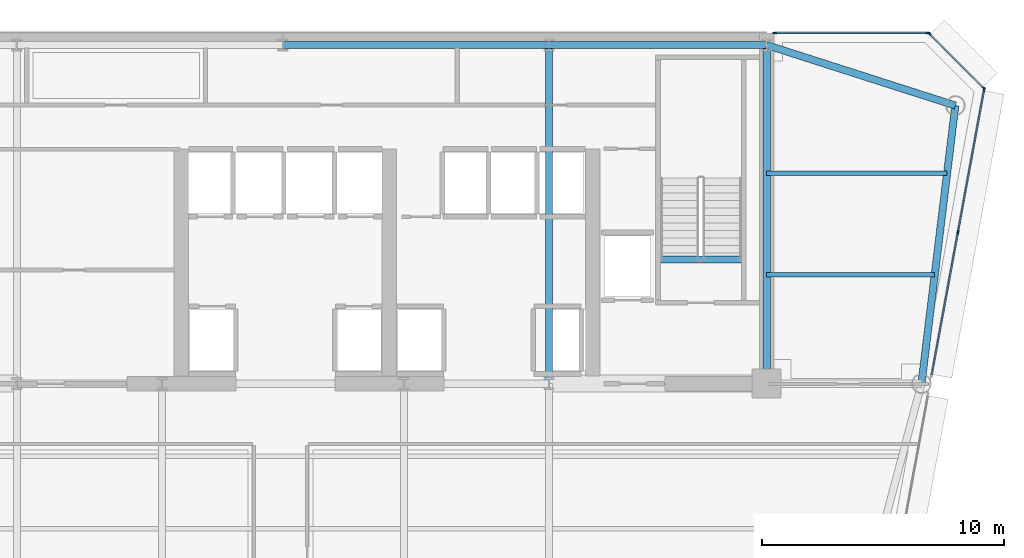
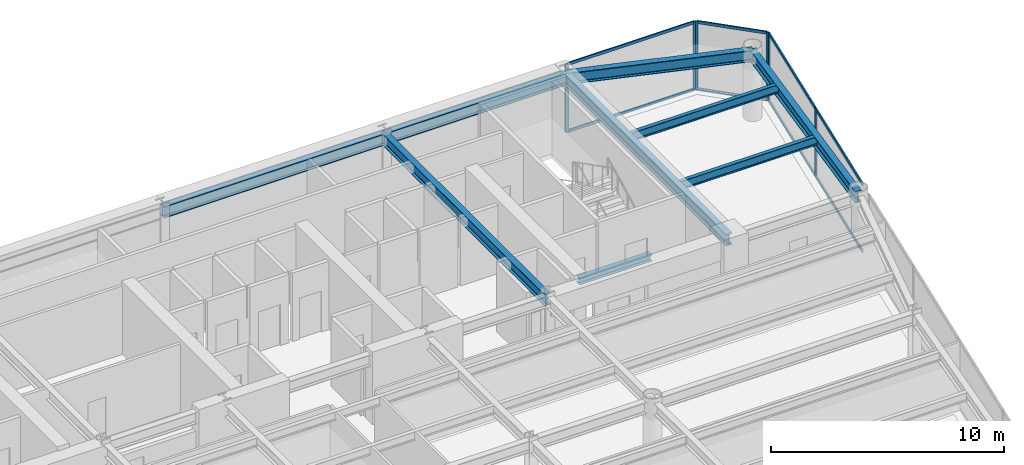
# One storey, part 8 of 16: 14 members, 9 beams, 3 elements without a shape of their own.
"""IFC4 building model written with IfcOpenShell, lengths in metres."""

from ifc_helpers import new_model, si_unit, direction, frame, origin, origin_2d, place, context, subcontext, project, spatial, rectangle, i_section, extrude, source, transform, mapped, material, layer, layer_set, material_profile, profile_set, type_object, element, aggregate, save


model = new_model("IFC4")

# Units and contexts
model_context = context("Model", 3, precision=1e-05, world=origin(), true_north=direction((0.0, 1.0)))
body_context = subcontext(model_context, "Body", "Model", "MODEL_VIEW")
ifc_project = project(units=[si_unit("LENGTHUNIT", "METRE"), si_unit("AREAUNIT", "SQUARE_METRE"), si_unit("VOLUMEUNIT", "CUBIC_METRE"), si_unit("PLANEANGLEUNIT", "RADIAN"), si_unit("MASSUNIT", "GRAM", prefix="KILO")], contexts=[model_context])

# Site, building, storey
site_placement = place(None, origin())
site = spatial("IfcSite", under=ifc_project, at=site_placement, CompositionType="ELEMENT")
building_placement = place(site_placement, origin())
building = spatial("IfcBuilding", under=site, at=building_placement, Name="Vaeldorn Concourse Tower", CompositionType="ELEMENT")
storey_placement = place(building_placement, frame((0.0, 0.0, 191.800048828125)))
storey = spatial("IfcBuildingStorey", under=building, at=storey_placement, Name="L49", CompositionType="ELEMENT", Elevation=191.800048828125)

# Beams
ifc_material_1 = material(Name="Steel S355", Category="steel")
ifc_material_profile_1 = material_profile(ifc_material_1, i_section(OverallWidth=0.300048828125, OverallDepth=0.340087890625, WebThickness=0.011962890625, FlangeThickness=0.021484375, FilletRadius=0.027099609375, at=origin_2d()), Name="HEB 340")
ifc_profile_set_1 = profile_set([ifc_material_profile_1], Name="Steel S355")
beam_type_1 = type_object("IfcBeamType", Name="BM-ST-TRIM", PredefinedType="BEAM", material=ifc_profile_set_1)
shared_shape_1 = source(origin(), body_context, "Body", "SweptSolid", [
    extrude(i_section(OverallWidth=0.300048828125, OverallDepth=0.340087890625, WebThickness=0.011962890625, FlangeThickness=0.021484375, FilletRadius=0.027099609375, at=origin_2d()), origin(), (0.0, 0.0, 1.0), 3.590087890625),
])
beam_1_placement = place(storey_placement, frame((49.47998046875, 41.639892578125, -0.39013671875), z_axis=(1.0, 0.0, 0.0), x_axis=(0.0, 1.0, 0.0)))
element("IfcBeam", 1, at=beam_1_placement, inside=storey, type_object=beam_type_1, Name="Stair Landing Trimmer Beam ST-2 L49", PredefinedType="BEAM", context=body_context, shape_type="MappedRepresentation", body=[
    mapped(shared_shape_1, transform((0.0, 0.0, 0.0), scale=1.0)),
])
ifc_material_profile_2 = material_profile(ifc_material_1, i_section(OverallWidth=0.18994140625, OverallDepth=0.449951171875, WebThickness=0.009521484375, FlangeThickness=0.0146484375, FilletRadius=0.02099609375, at=origin_2d()), Name="IPE 450")
ifc_profile_set_2 = profile_set([ifc_material_profile_2], Name="Steel S355")
beam_type_2 = type_object("IfcBeamType", Name="BM-JS-IPE450", PredefinedType="JOIST", material=ifc_profile_set_2)
shared_shape_2 = source(origin(), body_context, "Body", "SweptSolid", [
    extrude(i_section(OverallWidth=0.18994140625, OverallDepth=0.449951171875, WebThickness=0.009521484375, FlangeThickness=0.0146484375, FilletRadius=0.02099609375, at=origin_2d()), origin(), (0.0, 0.0, 1.0), 6.94775390625),
])
beam_2_placement = place(storey_placement, frame((54.0, 41.0, 3.35498046875), z_axis=(1.0, 0.0, 0.0), x_axis=(0.0, 1.0, 0.0)))
element("IfcBeam", 2, at=beam_2_placement, inside=storey, type_object=beam_type_2, Name="Beam JS-L49-NE-410", PredefinedType="JOIST", context=body_context, shape_type="MappedRepresentation", body=[
    mapped(shared_shape_2, transform((0.0, 0.0, 0.0), scale=1.0)),
])
shared_shape_3 = source(origin(), body_context, "Body", "SweptSolid", [
    extrude(i_section(OverallWidth=0.18994140625, OverallDepth=0.449951171875, WebThickness=0.009521484375, FlangeThickness=0.0146484375, FilletRadius=0.02099609375, at=origin_2d()), origin(), (0.0, 0.0, 1.0), 7.458984375),
])
beam_3_placement = place(storey_placement, frame((54.0, 45.199951171875, 3.35498046875), z_axis=(1.0, 0.0, 0.0), x_axis=(0.0, 1.0, 0.0)))
element("IfcBeam", 3, at=beam_3_placement, inside=storey, type_object=beam_type_2, Name="Beam JS-L49-NE-452", PredefinedType="JOIST", context=body_context, shape_type="MappedRepresentation", body=[
    mapped(shared_shape_3, transform((0.0, 0.0, 0.0), scale=1.0)),
])
ifc_material_profile_3 = material_profile(ifc_material_1, i_section(OverallWidth=0.300048828125, OverallDepth=0.60009765625, WebThickness=0.015380859375, FlangeThickness=0.030029296875, FilletRadius=0.027099609375, at=origin_2d()), Name="HEB 600")
ifc_profile_set_3 = profile_set([ifc_material_profile_3], Name="Steel S355")
beam_type_3 = type_object("IfcBeamType", Name="BM-PG-HEB600", PredefinedType="BEAM", material=ifc_profile_set_3)
shared_shape_4 = source(origin(), body_context, "Body", "SweptSolid", [
    extrude(i_section(OverallWidth=0.300048828125, OverallDepth=0.60009765625, WebThickness=0.015380859375, FlangeThickness=0.030029296875, FilletRadius=0.027099609375, at=origin_2d()), origin(), (0.0, 0.0, 1.0), 9.0),
])
beam_4_placement = place(storey_placement, frame((45.0, 50.5, 3.280029296875), z_axis=(1.0, 0.0, 0.0), x_axis=(0.0, 1.0, 0.0)))
element("IfcBeam", 4, at=beam_4_placement, inside=storey, type_object=beam_type_3, Name="Beam BM-L49-C-HC4-C-HC5", PredefinedType="BEAM", context=body_context, shape_type="MappedRepresentation", body=[
    mapped(shared_shape_4, transform((0.0, 0.0, 0.0), scale=1.0)),
])
shared_shape_5 = source(origin(), body_context, "Body", "SweptSolid", [
    extrude(i_section(OverallWidth=0.300048828125, OverallDepth=0.60009765625, WebThickness=0.015380859375, FlangeThickness=0.030029296875, FilletRadius=0.027099609375, at=origin_2d()), origin(), (0.0, 0.0, 1.0), 11.0),
])
beam_5_placement = place(storey_placement, frame((34.0, 50.5, 3.280029296875), z_axis=(1.0, 0.0, 0.0), x_axis=(0.0, 1.0, 0.0)))
element("IfcBeam", 5, at=beam_5_placement, inside=storey, type_object=beam_type_3, Name="Beam BM-L49-C-HC3-C-HC4", PredefinedType="BEAM", context=body_context, shape_type="MappedRepresentation", body=[
    mapped(shared_shape_5, transform((0.0, 0.0, 0.0), scale=1.0)),
])
shared_shape_6 = source(origin(), body_context, "Body", "SweptSolid", [
    extrude(i_section(OverallWidth=0.300048828125, OverallDepth=0.60009765625, WebThickness=0.015380859375, FlangeThickness=0.030029296875, FilletRadius=0.027099609375, at=origin_2d()), origin(), (0.0, 0.0, 1.0), 14.0),
])
for number, where, z_axis, x_axis, name in (
    (6, (45.0, 36.5, 3.280029296875), (0.0, 1.0, 0.0), (-1.0, 0.0, 0.0), "Beam BM-L49-C-FC5-C-HC4"),
    (7, (54.0, 36.5, 3.280029296875), (0.0, 1.0, 0.0), (-1.0, 0.0, 0.0), "Beam BM-L49-C-FC6-C-HC5"),
):
    element("IfcBeam", number, at=place(storey_placement, frame(where, z_axis=z_axis, x_axis=x_axis)), inside=storey, type_object=beam_type_3, Name=name, PredefinedType="BEAM", context=body_context, shape_type="MappedRepresentation", body=[
        mapped(shared_shape_6, transform((0.0, 0.0, 0.0), scale=1.0)),
    ])
shared_shape_7 = source(origin(), body_context, "Body", "SweptSolid", [
    extrude(i_section(OverallWidth=0.300048828125, OverallDepth=0.60009765625, WebThickness=0.015380859375, FlangeThickness=0.030029296875, FilletRadius=0.027099609375, at=origin_2d()), origin(), (0.0, 0.0, 1.0), 8.19091796875),
])
beam_6_placement = place(storey_placement, frame((54.0, 50.5, 3.280029296875), z_axis=(0.952282843383, -0.305216949396, 0.0), x_axis=(0.305216949396, 0.952282843383, 0.0)))
element("IfcBeam", 8, at=beam_6_placement, inside=storey, type_object=beam_type_3, Name="Beam BM-L49-C-HC5-C-NE1", PredefinedType="BEAM", context=body_context, shape_type="MappedRepresentation", body=[
    mapped(shared_shape_7, transform((0.0, 0.0, 0.0), scale=1.0)),
])
shared_shape_8 = source(origin(), body_context, "Body", "SweptSolid", [
    extrude(i_section(OverallWidth=0.300048828125, OverallDepth=0.60009765625, WebThickness=0.015380859375, FlangeThickness=0.030029296875, FilletRadius=0.027099609375, at=origin_2d()), origin(), (0.0, 0.0, 1.0), 11.5849609375),
])
beam_7_placement = place(storey_placement, frame((61.800048828125, 48.0, 3.280029296875), z_axis=(-0.120859382899, -0.992669637677, 0.0), x_axis=(0.992669637677, -0.120859382899, 0.0)))
element("IfcBeam", 9, at=beam_7_placement, inside=storey, type_object=beam_type_3, Name="Beam BM-L49-C-NE1-C-NE2", PredefinedType="BEAM", context=body_context, shape_type="MappedRepresentation", body=[
    mapped(shared_shape_8, transform((0.0, 0.0, 0.0), scale=1.0)),
])

# Curtain wall, members
ifc_material_2 = material(Name="Anodised Bronze Aluminium", Category="aluminium")
ifc_layer = layer(ifc_material_2, 0.18994140625)
ifc_layer_set = layer_set([ifc_layer], Name="Anodised Bronze Aluminium")
curtain_wall_type = type_object("IfcCurtainWallType", Name="CW-SYS-03", PredefinedType="NOTDEFINED", material=ifc_layer_set)
curtain_wall_1_placement = place(storey_placement, origin())
curtain_wall_1 = element("IfcCurtainWall", 10, at=curtain_wall_1_placement, inside=storey, type_object=curtain_wall_type, Name="Unitised Curtain Wall CW-L49-E07-2", PredefinedType="NOTDEFINED")
ifc_material_profile_4 = material_profile(ifc_material_2, rectangle(XDim=0.06494140625, YDim=0.169921875, at=origin_2d()), Name="CWM 65x170")
ifc_profile_set_4 = profile_set([ifc_material_profile_4], Name="Anodised Bronze Aluminium")
member_type_1 = type_object("IfcMemberType", Name="CWM-BRONZE-170", PredefinedType="MULLION", material=ifc_profile_set_4)
shared_shape_9 = source(origin(), body_context, "Body", "SweptSolid", [
    extrude(rectangle(XDim=0.06494140625, YDim=0.169921875, at=origin_2d()), origin(), (0.0, 0.0, 1.0), 3.579833984375),
])
member_1_placement = place(storey_placement, frame((61.908203125, 42.753662109375, 0.0), z_axis=(0.0, 0.0, 1.0), x_axis=(-0.983559459619, 0.180584576845, 0.0)))
member_1 = element("IfcMember", 11, at=member_1_placement, type_object=member_type_1, Name="CW-03 mullion 2", PredefinedType="MULLION", context=body_context, shape_type="MappedRepresentation", body=[
    mapped(shared_shape_9, transform((0.0, 0.0, 0.0), scale=1.0)),
])
member_2_placement = place(storey_placement, frame((62.994140625, 48.66796875, 0.0), z_axis=(0.0, 0.0, 1.0), x_axis=(-0.983559459619, 0.180584576845, 0.0)))
member_2 = element("IfcMember", 12, at=member_2_placement, type_object=member_type_1, Name="CW-03 mullion 3", PredefinedType="MULLION", context=body_context, shape_type="MappedRepresentation", body=[
    mapped(shared_shape_9, transform((0.0, 0.0, 0.0), scale=1.0)),
])

curtain_wall_2_placement = place(storey_placement, origin())
curtain_wall_2 = element("IfcCurtainWall", 13, at=curtain_wall_2_placement, inside=storey, type_object=curtain_wall_type, Name="Unitised Curtain Wall CW-L49-E08-1", PredefinedType="NOTDEFINED")
member_3_placement = place(storey_placement, frame((62.97705078125, 48.722900390625, 0.0), z_axis=(0.0, 0.0, 1.0), x_axis=(-0.707106781187, -0.707106781187, 0.0)))
member_3 = element("IfcMember", 14, at=member_3_placement, type_object=member_type_1, Name="CW-03 mullion 1", PredefinedType="MULLION", context=body_context, shape_type="MappedRepresentation", body=[
    mapped(shared_shape_9, transform((0.0, 0.0, 0.0), scale=1.0)),
])
member_4_placement = place(storey_placement, frame((60.722900390625, 50.97705078125, 0.0), z_axis=(0.0, 0.0, 1.0), x_axis=(-0.707106781187, -0.707106781187, 0.0)))
member_4 = element("IfcMember", 15, at=member_4_placement, type_object=member_type_1, Name="CW-03 mullion 2", PredefinedType="MULLION", context=body_context, shape_type="MappedRepresentation", body=[
    mapped(shared_shape_9, transform((0.0, 0.0, 0.0), scale=1.0)),
])

curtain_wall_3_placement = place(storey_placement, origin())
curtain_wall_3 = element("IfcCurtainWall", 16, at=curtain_wall_3_placement, inside=storey, type_object=curtain_wall_type, Name="Unitised Curtain Wall CW-L49-E09-1", PredefinedType="NOTDEFINED")
member_5_placement = place(storey_placement, frame((60.66748046875, 51.0, 0.0), z_axis=(0.0, 0.0, 1.0), x_axis=(0.0, -1.0, 0.0)))
member_5 = element("IfcMember", 17, at=member_5_placement, type_object=member_type_1, Name="CW-03 mullion 1", PredefinedType="MULLION", context=body_context, shape_type="MappedRepresentation", body=[
    mapped(shared_shape_9, transform((0.0, 0.0, 0.0), scale=1.0)),
])
member_6_placement = place(storey_placement, frame((54.327392578125, 51.0, 0.0), z_axis=(0.0, 0.0, 1.0), x_axis=(0.0, -1.0, 0.0)))
member_6 = element("IfcMember", 18, at=member_6_placement, type_object=member_type_1, Name="CW-03 mullion 2", PredefinedType="MULLION", context=body_context, shape_type="MappedRepresentation", body=[
    mapped(shared_shape_9, transform((0.0, 0.0, 0.0), scale=1.0)),
])

# Member
ifc_material_profile_5 = material_profile(ifc_material_2, rectangle(XDim=0.06494140625, YDim=0.14990234375, at=origin_2d()), Name="CWT 65x150")
ifc_profile_set_5 = profile_set([ifc_material_profile_5], Name="Anodised Bronze Aluminium")
member_type_2 = type_object("IfcMemberType", Name="CWT-BRONZE-150", PredefinedType="USERDEFINED", material=ifc_profile_set_5)
shared_shape_10 = source(origin(), body_context, "Body", "SweptSolid", [
    extrude(rectangle(XDim=0.06494140625, YDim=0.14990234375, at=origin_2d()), origin(), (0.0, 0.0, 1.0), 3.123046875),
])
member_7_placement = place(storey_placement, frame((62.9541015625, 48.745849609375, 0.032470703125), z_axis=(-0.707106781187, 0.707106781187, 0.0), x_axis=(-0.707106781187, -0.707106781187, 0.0)))
member_7 = element("IfcMember", 19, at=member_7_placement, type_object=member_type_2, Name="CW-03 transom 1.1", ObjectType="TRANSOM", PredefinedType="USERDEFINED", context=body_context, shape_type="MappedRepresentation", body=[
    mapped(shared_shape_10, transform((0.0, 0.0, 0.0), scale=1.0)),
])

member_8_placement = place(storey_placement, frame((62.9541015625, 48.745849609375, 3.54736328125), z_axis=(-0.707106781187, 0.707106781187, 0.0), x_axis=(-0.707106781187, -0.707106781187, 0.0)))
member_8 = element("IfcMember", 20, at=member_8_placement, type_object=member_type_2, Name="CW-03 transom 1.2", ObjectType="TRANSOM", PredefinedType="USERDEFINED", context=body_context, shape_type="MappedRepresentation", body=[
    mapped(shared_shape_10, transform((0.0, 0.0, 0.0), scale=1.0)),
])

aggregate(curtain_wall_2, [member_3, member_4, member_7, member_8])

shared_shape_11 = source(origin(), body_context, "Body", "SweptSolid", [
    extrude(rectangle(XDim=0.06494140625, YDim=0.14990234375, at=origin_2d()), origin(), (0.0, 0.0, 1.0), 6.27490234375),
])
member_9_placement = place(storey_placement, frame((60.635009765625, 51.0, 0.032470703125), z_axis=(-1.0, 0.0, 0.0), x_axis=(0.0, -1.0, 0.0)))
member_9 = element("IfcMember", 21, at=member_9_placement, type_object=member_type_2, Name="CW-03 transom 1.1", ObjectType="TRANSOM", PredefinedType="USERDEFINED", context=body_context, shape_type="MappedRepresentation", body=[
    mapped(shared_shape_11, transform((0.0, 0.0, 0.0), scale=1.0)),
])

member_10_placement = place(storey_placement, frame((60.635009765625, 51.0, 3.54736328125), z_axis=(-1.0, 0.0, 0.0), x_axis=(0.0, -1.0, 0.0)))
member_10 = element("IfcMember", 22, at=member_10_placement, type_object=member_type_2, Name="CW-03 transom 1.2", ObjectType="TRANSOM", PredefinedType="USERDEFINED", context=body_context, shape_type="MappedRepresentation", body=[
    mapped(shared_shape_11, transform((0.0, 0.0, 0.0), scale=1.0)),
])

aggregate(curtain_wall_3, [member_5, member_6, member_9, member_10])

shared_shape_12 = source(origin(), body_context, "Body", "SweptSolid", [
    extrude(rectangle(XDim=0.06494140625, YDim=0.14990234375, at=origin_2d()), origin(), (0.0, 0.0, 1.0), 5.9482421875),
])
member_11_placement = place(storey_placement, frame((60.828125, 36.871337890625, 0.032470703125), z_axis=(0.180597229094, 0.983557136542, 0.0), x_axis=(-0.983557136542, 0.180597229094, 0.0)))
member_11 = element("IfcMember", 23, at=member_11_placement, type_object=member_type_2, Name="CW-03 transom 1.1", ObjectType="TRANSOM", PredefinedType="USERDEFINED", context=body_context, shape_type="MappedRepresentation", body=[
    mapped(shared_shape_12, transform((0.0, 0.0, 0.0), scale=1.0)),
])

member_12_placement = place(storey_placement, frame((60.828125, 36.871337890625, 3.54736328125), z_axis=(0.180597229094, 0.983557136542, 0.0), x_axis=(-0.983557136542, 0.180597229094, 0.0)))
member_12 = element("IfcMember", 24, at=member_12_placement, type_object=member_type_2, Name="CW-03 transom 1.2", ObjectType="TRANSOM", PredefinedType="USERDEFINED", context=body_context, shape_type="MappedRepresentation", body=[
    mapped(shared_shape_12, transform((0.0, 0.0, 0.0), scale=1.0)),
])

member_13_placement = place(storey_placement, frame((61.9140625, 42.78564453125, 0.032470703125), z_axis=(0.180597229094, 0.983557136542, 0.0), x_axis=(-0.983557136542, 0.180597229094, 0.0)))
member_13 = element("IfcMember", 25, at=member_13_placement, type_object=member_type_2, Name="CW-03 transom 2.1", ObjectType="TRANSOM", PredefinedType="USERDEFINED", context=body_context, shape_type="MappedRepresentation", body=[
    mapped(shared_shape_12, transform((0.0, 0.0, 0.0), scale=1.0)),
])

member_14_placement = place(storey_placement, frame((61.9140625, 42.78564453125, 3.54736328125), z_axis=(0.180597229094, 0.983557136542, 0.0), x_axis=(-0.983557136542, 0.180597229094, 0.0)))
member_14 = element("IfcMember", 26, at=member_14_placement, type_object=member_type_2, Name="CW-03 transom 2.2", ObjectType="TRANSOM", PredefinedType="USERDEFINED", context=body_context, shape_type="MappedRepresentation", body=[
    mapped(shared_shape_12, transform((0.0, 0.0, 0.0), scale=1.0)),
])

aggregate(curtain_wall_1, [member_1, member_2, member_11, member_12, member_13, member_14])

save(model, "model.ifc")
